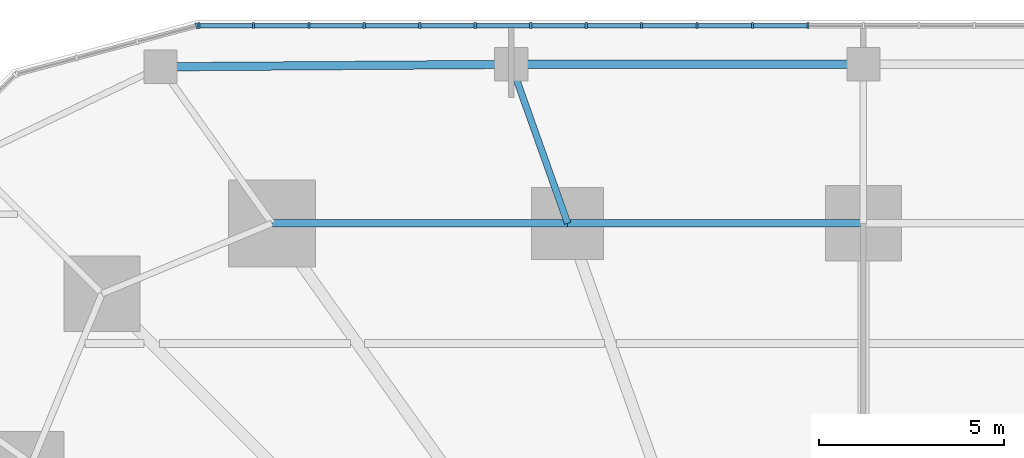
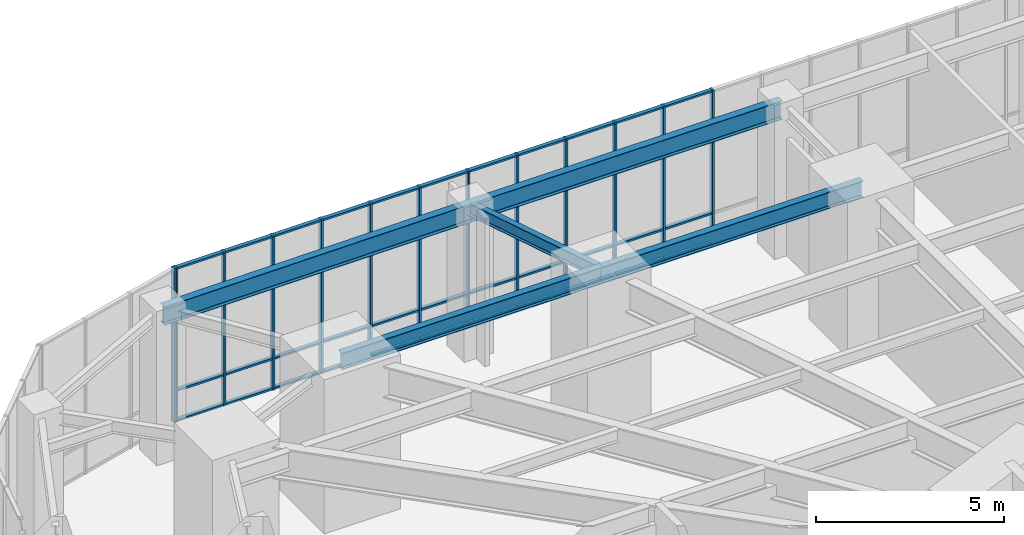
# One storey, part 11 of 24: 46 members, 5 beams, 2 elements without a shape of their own.
"""IFC4 building model written with IfcOpenShell, lengths in metres."""

from ifc_helpers import new_model, si_unit, direction, frame, origin, origin_2d, place, context, subcontext, project, spatial, rectangle, i_section, extrude, material, material_profile, profile_set, type_object, element, aggregate, save


model = new_model("IFC4")

# Units and contexts
model_context = context("Model", 3, precision=1e-05, world=origin(), true_north=direction((0.0, 1.0)))
body_context = subcontext(model_context, "Body", "Model", "MODEL_VIEW")
ifc_project = project(units=[si_unit("LENGTHUNIT", "METRE"), si_unit("AREAUNIT", "SQUARE_METRE"), si_unit("VOLUMEUNIT", "CUBIC_METRE"), si_unit("PLANEANGLEUNIT", "RADIAN"), si_unit("MASSUNIT", "GRAM", prefix="KILO")], contexts=[model_context])

# Site, building, storey
site_placement = place(None, origin())
site = spatial("IfcSite", under=ifc_project, at=site_placement, CompositionType="ELEMENT")
building_placement = place(site_placement, origin())
building = spatial("IfcBuilding", under=site, at=building_placement, Name="Nakasero Lantern House", CompositionType="ELEMENT")
storey_placement = place(building_placement, frame((0.0, 0.0, 6.0)))
storey = spatial("IfcBuildingStorey", under=building, at=storey_placement, Name="L01", CompositionType="ELEMENT", Elevation=6.0)

# Curtain wall, members
ifc_material_1 = material(Name="Aluminium 6063-T6 and glass", Category="aluminium")
curtain_wall_type = type_object("IfcCurtainWallType", Name="Podium curtain wall CW-2", PredefinedType="USERDEFINED", material=ifc_material_1)
curtain_wall_1_placement = place(storey_placement, origin())
curtain_wall_1 = element("IfcCurtainWall", 1, at=curtain_wall_1_placement, inside=storey, type_object=curtain_wall_type, Name="Curtain wall CW-2 L01", ObjectType="STICK CURTAIN WALL", PredefinedType="USERDEFINED")
ifc_material_2 = material(Name="Aluminium 6063-T6", Category="aluminium")
ifc_material_profile_1 = material_profile(ifc_material_2, rectangle(XDim=0.06005859375, YDim=0.159912109375, at=origin_2d()), Name="CW-2 mullion 60x160")
ifc_profile_set_1 = profile_set([ifc_material_profile_1], Name="Aluminium 6063-T6")
member_type_1 = type_object("IfcMemberType", Name="Mullion CW-2", PredefinedType="MULLION", material=ifc_profile_set_1)
member_1_placement = place(storey_placement, frame((-1.5, 27.85009765625, 0.0), z_axis=(0.0, 0.0, 1.0), x_axis=(-1.0, 0.0, 0.0)))
member_1 = element("IfcMember", 2, at=member_1_placement, type_object=member_type_1, Name="CW-2 mullion 14", PredefinedType="MULLION", context=body_context, shape_type="SweptSolid", body=[
    extrude(rectangle(XDim=0.06005859375, YDim=0.159912109375, at=origin_2d()), origin(), (0.0, 0.0, 1.0), 5.0),
])
member_2_placement = place(storey_placement, frame((-3.0, 27.85009765625, 0.0), z_axis=(0.0, 0.0, 1.0), x_axis=(-1.0, 0.0, 0.0)))
member_2 = element("IfcMember", 3, at=member_2_placement, type_object=member_type_1, Name="CW-2 mullion 15", PredefinedType="MULLION", context=body_context, shape_type="SweptSolid", body=[
    extrude(rectangle(XDim=0.06005859375, YDim=0.159912109375, at=origin_2d()), origin(), (0.0, 0.0, 1.0), 5.0),
])
member_3_placement = place(storey_placement, frame((-4.5, 27.85009765625, 0.0), z_axis=(0.0, 0.0, 1.0), x_axis=(-1.0, 0.0, 0.0)))
member_3 = element("IfcMember", 4, at=member_3_placement, type_object=member_type_1, Name="CW-2 mullion 16", PredefinedType="MULLION", context=body_context, shape_type="SweptSolid", body=[
    extrude(rectangle(XDim=0.06005859375, YDim=0.159912109375, at=origin_2d()), origin(), (0.0, 0.0, 1.0), 5.0),
])
member_4_placement = place(storey_placement, frame((-6.0, 27.85009765625, 0.0), z_axis=(0.0, 0.0, 1.0), x_axis=(-1.0, 0.0, 0.0)))
member_4 = element("IfcMember", 5, at=member_4_placement, type_object=member_type_1, Name="CW-2 mullion 17", PredefinedType="MULLION", context=body_context, shape_type="SweptSolid", body=[
    extrude(rectangle(XDim=0.06005859375, YDim=0.159912109375, at=origin_2d()), origin(), (0.0, 0.0, 1.0), 5.0),
])
member_5_placement = place(storey_placement, frame((-7.5, 27.85009765625, 0.0), z_axis=(0.0, 0.0, 1.0), x_axis=(-1.0, 0.0, 0.0)))
member_5 = element("IfcMember", 6, at=member_5_placement, type_object=member_type_1, Name="CW-2 mullion 18", PredefinedType="MULLION", context=body_context, shape_type="SweptSolid", body=[
    extrude(rectangle(XDim=0.06005859375, YDim=0.159912109375, at=origin_2d()), origin(), (0.0, 0.0, 1.0), 5.0),
])
member_6_placement = place(storey_placement, frame((-9.0, 27.85009765625, 0.0), z_axis=(0.0, 0.0, 1.0), x_axis=(-1.0, 0.0, 0.0)))
member_6 = element("IfcMember", 7, at=member_6_placement, type_object=member_type_1, Name="CW-2 mullion 19", PredefinedType="MULLION", context=body_context, shape_type="SweptSolid", body=[
    extrude(rectangle(XDim=0.06005859375, YDim=0.159912109375, at=origin_2d()), origin(), (0.0, 0.0, 1.0), 5.0),
])
member_7_placement = place(storey_placement, frame((-10.5, 27.85009765625, 0.0), z_axis=(0.0, 0.0, 1.0), x_axis=(-1.0, 0.0, 0.0)))
member_7 = element("IfcMember", 8, at=member_7_placement, type_object=member_type_1, Name="CW-2 mullion 20", PredefinedType="MULLION", context=body_context, shape_type="SweptSolid", body=[
    extrude(rectangle(XDim=0.06005859375, YDim=0.159912109375, at=origin_2d()), origin(), (0.0, 0.0, 1.0), 5.0),
])
member_8_placement = place(storey_placement, frame((-12.0, 27.85009765625, 0.0), z_axis=(0.0, 0.0, 1.0), x_axis=(-1.0, 0.0, 0.0)))
member_8 = element("IfcMember", 9, at=member_8_placement, type_object=member_type_1, Name="CW-2 mullion 21", PredefinedType="MULLION", context=body_context, shape_type="SweptSolid", body=[
    extrude(rectangle(XDim=0.06005859375, YDim=0.159912109375, at=origin_2d()), origin(), (0.0, 0.0, 1.0), 5.0),
])
member_9_placement = place(storey_placement, frame((-13.5, 27.85009765625, 0.0), z_axis=(0.0, 0.0, 1.0), x_axis=(-1.0, 0.0, 0.0)))
member_9 = element("IfcMember", 10, at=member_9_placement, type_object=member_type_1, Name="CW-2 mullion 22", PredefinedType="MULLION", context=body_context, shape_type="SweptSolid", body=[
    extrude(rectangle(XDim=0.06005859375, YDim=0.159912109375, at=origin_2d()), origin(), (0.0, 0.0, 1.0), 5.0),
])
member_10_placement = place(storey_placement, frame((-15.0, 27.85009765625, 0.0), z_axis=(0.0, 0.0, 1.0), x_axis=(-1.0, 0.0, 0.0)))
member_10 = element("IfcMember", 11, at=member_10_placement, type_object=member_type_1, Name="CW-2 mullion 23", PredefinedType="MULLION", context=body_context, shape_type="SweptSolid", body=[
    extrude(rectangle(XDim=0.06005859375, YDim=0.159912109375, at=origin_2d()), origin(), (0.0, 0.0, 1.0), 5.0),
])
member_11_placement = place(storey_placement, frame((-16.5, 27.85009765625, 0.0), z_axis=(0.0, 0.0, 1.0), x_axis=(-1.0, 0.0, 0.0)))
member_11 = element("IfcMember", 12, at=member_11_placement, type_object=member_type_1, Name="CW-2 mullion 24", PredefinedType="MULLION", context=body_context, shape_type="SweptSolid", body=[
    extrude(rectangle(XDim=0.06005859375, YDim=0.159912109375, at=origin_2d()), origin(), (0.0, 0.0, 1.0), 5.0),
])
member_12_placement = place(storey_placement, frame((-17.969970703125, 27.85009765625, 0.0), z_axis=(0.0, 0.0, 1.0), x_axis=(-1.0, 0.0, 0.0)))
member_12 = element("IfcMember", 13, at=member_12_placement, type_object=member_type_1, Name="CW-2 mullion 25", PredefinedType="MULLION", context=body_context, shape_type="SweptSolid", body=[
    extrude(rectangle(XDim=0.06005859375, YDim=0.159912109375, at=origin_2d()), origin(), (0.0, 0.0, 1.0), 5.0),
])

# Curtain wall, member
curtain_wall_2_placement = place(storey_placement, origin())
curtain_wall_2 = element("IfcCurtainWall", 14, at=curtain_wall_2_placement, inside=storey, type_object=curtain_wall_type, Name="Curtain wall CW-2 L01", ObjectType="STICK CURTAIN WALL", PredefinedType="USERDEFINED")
member_13_placement = place(storey_placement, frame((-18.029052734375, 27.84228515625, 0.0), z_axis=(0.0, 0.0, 1.0), x_axis=(-0.965925826289, -0.258819045103, 0.0)))
member_13 = element("IfcMember", 15, at=member_13_placement, type_object=member_type_1, Name="CW-2 mullion 1", PredefinedType="MULLION", context=body_context, shape_type="SweptSolid", body=[
    extrude(rectangle(XDim=0.06005859375, YDim=0.159912109375, at=origin_2d()), origin(), (0.0, 0.0, 1.0), 5.0),
])
aggregate(curtain_wall_2, [member_13])

# Beams
ifc_material_3 = material(Name="Steel S355", Category="steel")
ifc_material_profile_2 = material_profile(ifc_material_3, i_section(OverallWidth=0.179443359375, OverallDepth=0.412841796875, WebThickness=0.009521484375, FlangeThickness=0.01611328125, FilletRadius=0.01025390625, at=origin_2d()), Name="UB 406x178x74")
ifc_profile_set_2 = profile_set([ifc_material_profile_2], Name="Steel S355")
beam_type_1 = type_object("IfcBeamType", Name="Primary beam UB 406x178x74, span to 6 m", PredefinedType="BEAM", material=ifc_profile_set_2)
beam_1_placement = place(storey_placement, frame((-9.52880859375, 26.800048828125, 4.593505859375), z_axis=(0.334990670833, -0.942221444489, 0.0), x_axis=(0.942221444489, 0.334990670833, 0.0)))
element("IfcBeam", 16, at=beam_1_placement, inside=storey, type_object=beam_type_1, Name="Primary beam L02 POD-C10", PredefinedType="BEAM", context=body_context, shape_type="SweptSolid", body=[
    extrude(i_section(OverallWidth=0.179443359375, OverallDepth=0.412841796875, WebThickness=0.009521484375, FlangeThickness=0.01611328125, FilletRadius=0.01025390625, at=origin_2d()), origin(), (0.0, 0.0, 1.0), 4.563720703125),
])
ifc_material_4 = material(Name="Steel S355", Category="steel")
ifc_material_profile_3 = material_profile(ifc_material_4, i_section(OverallWidth=0.2099609375, OverallDepth=0.53662109375, WebThickness=0.0107421875, FlangeThickness=0.017333984375, FilletRadius=0.0126953125, at=origin_2d()), Name="UB 533x210x101")
ifc_profile_set_3 = profile_set([ifc_material_profile_3], Name="Steel S355")
beam_type_2 = type_object("IfcBeamType", Name="Ring beam UB 533x210x101", PredefinedType="BEAM", material=ifc_profile_set_3)
for number, where, z_axis, x_axis, name in (
    (17, (0.0, 22.5, 4.53173828125), (-1.0, 0.0, 0.0), (0.0, -1.0, 0.0), "Ring beam L02 B1-C09"),
    (18, (-8.0, 22.5, 4.53173828125), (-1.0, 0.0, 0.0), (0.0, -1.0, 0.0), "Ring beam L02 B1-C10"),
):
    element("IfcBeam", number, at=place(storey_placement, frame(where, z_axis=z_axis, x_axis=x_axis)), inside=storey, type_object=beam_type_2, Name=name, PredefinedType="BEAM", context=body_context, shape_type="SweptSolid", body=[
        extrude(i_section(OverallWidth=0.2099609375, OverallDepth=0.53662109375, WebThickness=0.0107421875, FlangeThickness=0.017333984375, FilletRadius=0.0126953125, at=origin_2d()), origin(), (0.0, 0.0, 1.0), 8.0),
    ])
ifc_material_5 = material(Name="Steel S355", Category="steel")
ifc_material_profile_4 = material_profile(ifc_material_5, i_section(OverallWidth=0.2275390625, OverallDepth=0.6025390625, WebThickness=0.010498046875, FlangeThickness=0.014892578125, FilletRadius=0.0126953125, at=origin_2d()), Name="UB 610x229x101")
ifc_profile_set_4 = profile_set([ifc_material_profile_4], Name="Steel S355")
beam_type_3 = type_object("IfcBeamType", Name="Ring beam UB 610x229x101", PredefinedType="BEAM", material=ifc_profile_set_4)
beam_2_placement = place(storey_placement, frame((0.0, 26.800048828125, 4.498779296875), z_axis=(-1.0, 0.0, 0.0), x_axis=(0.0, -1.0, 0.0)))
element("IfcBeam", 19, at=beam_2_placement, inside=storey, type_object=beam_type_3, Name="Ring beam L02 POD-C09", PredefinedType="BEAM", context=body_context, shape_type="SweptSolid", body=[
    extrude(i_section(OverallWidth=0.2275390625, OverallDepth=0.6025390625, WebThickness=0.010498046875, FlangeThickness=0.014892578125, FilletRadius=0.0126953125, at=origin_2d()), origin(), (0.0, 0.0, 1.0), 9.52880859375),
])
beam_3_placement = place(storey_placement, frame((-9.52880859375, 26.800048828125, 4.498779296875), z_axis=(-0.999975476745, -0.007003278482, 0.0), x_axis=(0.007003278482, -0.999975476745, 0.0)))
element("IfcBeam", 20, at=beam_3_placement, inside=storey, type_object=beam_type_3, Name="Ring beam L02 POD-C10", PredefinedType="BEAM", context=body_context, shape_type="SweptSolid", body=[
    extrude(i_section(OverallWidth=0.2275390625, OverallDepth=0.6025390625, WebThickness=0.010498046875, FlangeThickness=0.014892578125, FilletRadius=0.0126953125, at=origin_2d()), origin(), (0.0, 0.0, 1.0), 9.482177734375),
])

# Member
ifc_material_6 = material(Name="Aluminium 6063-T6", Category="aluminium")
ifc_material_profile_5 = material_profile(ifc_material_6, rectangle(XDim=0.06005859375, YDim=0.1201171875, at=origin_2d()), Name="CW-2 transom 60x120")
ifc_profile_set_5 = profile_set([ifc_material_profile_5], Name="Aluminium 6063-T6")
member_type_2 = type_object("IfcMemberType", Name="Transom CW-2", PredefinedType="USERDEFINED", material=ifc_profile_set_5)
member_14_placement = place(storey_placement, frame((-1.530029296875, 27.85009765625, 0.030029296875), z_axis=(-1.0, 0.0, 0.0), x_axis=(0.0, 0.0, 1.0)))
member_14 = element("IfcMember", 21, at=member_14_placement, type_object=member_type_2, Name="CW-2 transom 14.1", ObjectType="TRANSOM", PredefinedType="USERDEFINED", context=body_context, shape_type="SweptSolid", body=[
    extrude(rectangle(XDim=0.06005859375, YDim=0.1201171875, at=origin_2d()), origin(), (0.0, 0.0, 1.0), 1.43994140625),
])

member_15_placement = place(storey_placement, frame((-1.530029296875, 27.85009765625, 1.0), z_axis=(-1.0, 0.0, 0.0), x_axis=(0.0, 0.0, 1.0)))
member_15 = element("IfcMember", 22, at=member_15_placement, type_object=member_type_2, Name="CW-2 transom 14.2", ObjectType="TRANSOM", PredefinedType="USERDEFINED", context=body_context, shape_type="SweptSolid", body=[
    extrude(rectangle(XDim=0.06005859375, YDim=0.1201171875, at=origin_2d()), origin(), (0.0, 0.0, 1.0), 1.43994140625),
])

member_16_placement = place(storey_placement, frame((-1.530029296875, 27.85009765625, 4.969970703125), z_axis=(-1.0, 0.0, 0.0), x_axis=(0.0, 0.0, 1.0)))
member_16 = element("IfcMember", 23, at=member_16_placement, type_object=member_type_2, Name="CW-2 transom 14.3", ObjectType="TRANSOM", PredefinedType="USERDEFINED", context=body_context, shape_type="SweptSolid", body=[
    extrude(rectangle(XDim=0.06005859375, YDim=0.1201171875, at=origin_2d()), origin(), (0.0, 0.0, 1.0), 1.43994140625),
])

member_17_placement = place(storey_placement, frame((-3.030029296875, 27.85009765625, 0.030029296875), z_axis=(-1.0, 0.0, 0.0), x_axis=(0.0, 0.0, 1.0)))
member_17 = element("IfcMember", 24, at=member_17_placement, type_object=member_type_2, Name="CW-2 transom 15.1", ObjectType="TRANSOM", PredefinedType="USERDEFINED", context=body_context, shape_type="SweptSolid", body=[
    extrude(rectangle(XDim=0.06005859375, YDim=0.1201171875, at=origin_2d()), origin(), (0.0, 0.0, 1.0), 1.43994140625),
])

member_18_placement = place(storey_placement, frame((-3.030029296875, 27.85009765625, 1.0), z_axis=(-1.0, 0.0, 0.0), x_axis=(0.0, 0.0, 1.0)))
member_18 = element("IfcMember", 25, at=member_18_placement, type_object=member_type_2, Name="CW-2 transom 15.2", ObjectType="TRANSOM", PredefinedType="USERDEFINED", context=body_context, shape_type="SweptSolid", body=[
    extrude(rectangle(XDim=0.06005859375, YDim=0.1201171875, at=origin_2d()), origin(), (0.0, 0.0, 1.0), 1.43994140625),
])

member_19_placement = place(storey_placement, frame((-3.030029296875, 27.85009765625, 4.969970703125), z_axis=(-1.0, 0.0, 0.0), x_axis=(0.0, 0.0, 1.0)))
member_19 = element("IfcMember", 26, at=member_19_placement, type_object=member_type_2, Name="CW-2 transom 15.3", ObjectType="TRANSOM", PredefinedType="USERDEFINED", context=body_context, shape_type="SweptSolid", body=[
    extrude(rectangle(XDim=0.06005859375, YDim=0.1201171875, at=origin_2d()), origin(), (0.0, 0.0, 1.0), 1.43994140625),
])

member_20_placement = place(storey_placement, frame((-4.530029296875, 27.85009765625, 0.030029296875), z_axis=(-1.0, 0.0, 0.0), x_axis=(0.0, 0.0, 1.0)))
member_20 = element("IfcMember", 27, at=member_20_placement, type_object=member_type_2, Name="CW-2 transom 16.1", ObjectType="TRANSOM", PredefinedType="USERDEFINED", context=body_context, shape_type="SweptSolid", body=[
    extrude(rectangle(XDim=0.06005859375, YDim=0.1201171875, at=origin_2d()), origin(), (0.0, 0.0, 1.0), 1.43994140625),
])

member_21_placement = place(storey_placement, frame((-4.530029296875, 27.85009765625, 1.0), z_axis=(-1.0, 0.0, 0.0), x_axis=(0.0, 0.0, 1.0)))
member_21 = element("IfcMember", 28, at=member_21_placement, type_object=member_type_2, Name="CW-2 transom 16.2", ObjectType="TRANSOM", PredefinedType="USERDEFINED", context=body_context, shape_type="SweptSolid", body=[
    extrude(rectangle(XDim=0.06005859375, YDim=0.1201171875, at=origin_2d()), origin(), (0.0, 0.0, 1.0), 1.43994140625),
])

member_22_placement = place(storey_placement, frame((-4.530029296875, 27.85009765625, 4.969970703125), z_axis=(-1.0, 0.0, 0.0), x_axis=(0.0, 0.0, 1.0)))
member_22 = element("IfcMember", 29, at=member_22_placement, type_object=member_type_2, Name="CW-2 transom 16.3", ObjectType="TRANSOM", PredefinedType="USERDEFINED", context=body_context, shape_type="SweptSolid", body=[
    extrude(rectangle(XDim=0.06005859375, YDim=0.1201171875, at=origin_2d()), origin(), (0.0, 0.0, 1.0), 1.43994140625),
])

member_23_placement = place(storey_placement, frame((-6.030029296875, 27.85009765625, 0.030029296875), z_axis=(-1.0, 0.0, 0.0), x_axis=(0.0, 0.0, 1.0)))
member_23 = element("IfcMember", 30, at=member_23_placement, type_object=member_type_2, Name="CW-2 transom 17.1", ObjectType="TRANSOM", PredefinedType="USERDEFINED", context=body_context, shape_type="SweptSolid", body=[
    extrude(rectangle(XDim=0.06005859375, YDim=0.1201171875, at=origin_2d()), origin(), (0.0, 0.0, 1.0), 1.43994140625),
])

member_24_placement = place(storey_placement, frame((-6.030029296875, 27.85009765625, 1.0), z_axis=(-1.0, 0.0, 0.0), x_axis=(0.0, 0.0, 1.0)))
member_24 = element("IfcMember", 31, at=member_24_placement, type_object=member_type_2, Name="CW-2 transom 17.2", ObjectType="TRANSOM", PredefinedType="USERDEFINED", context=body_context, shape_type="SweptSolid", body=[
    extrude(rectangle(XDim=0.06005859375, YDim=0.1201171875, at=origin_2d()), origin(), (0.0, 0.0, 1.0), 1.43994140625),
])

member_25_placement = place(storey_placement, frame((-6.030029296875, 27.85009765625, 4.969970703125), z_axis=(-1.0, 0.0, 0.0), x_axis=(0.0, 0.0, 1.0)))
member_25 = element("IfcMember", 32, at=member_25_placement, type_object=member_type_2, Name="CW-2 transom 17.3", ObjectType="TRANSOM", PredefinedType="USERDEFINED", context=body_context, shape_type="SweptSolid", body=[
    extrude(rectangle(XDim=0.06005859375, YDim=0.1201171875, at=origin_2d()), origin(), (0.0, 0.0, 1.0), 1.43994140625),
])

member_26_placement = place(storey_placement, frame((-7.530029296875, 27.85009765625, 0.030029296875), z_axis=(-1.0, 0.0, 0.0), x_axis=(0.0, 0.0, 1.0)))
member_26 = element("IfcMember", 33, at=member_26_placement, type_object=member_type_2, Name="CW-2 transom 18.1", ObjectType="TRANSOM", PredefinedType="USERDEFINED", context=body_context, shape_type="SweptSolid", body=[
    extrude(rectangle(XDim=0.06005859375, YDim=0.1201171875, at=origin_2d()), origin(), (0.0, 0.0, 1.0), 1.43994140625),
])

member_27_placement = place(storey_placement, frame((-7.530029296875, 27.85009765625, 1.0), z_axis=(-1.0, 0.0, 0.0), x_axis=(0.0, 0.0, 1.0)))
member_27 = element("IfcMember", 34, at=member_27_placement, type_object=member_type_2, Name="CW-2 transom 18.2", ObjectType="TRANSOM", PredefinedType="USERDEFINED", context=body_context, shape_type="SweptSolid", body=[
    extrude(rectangle(XDim=0.06005859375, YDim=0.1201171875, at=origin_2d()), origin(), (0.0, 0.0, 1.0), 1.43994140625),
])

member_28_placement = place(storey_placement, frame((-7.530029296875, 27.85009765625, 4.969970703125), z_axis=(-1.0, 0.0, 0.0), x_axis=(0.0, 0.0, 1.0)))
member_28 = element("IfcMember", 35, at=member_28_placement, type_object=member_type_2, Name="CW-2 transom 18.3", ObjectType="TRANSOM", PredefinedType="USERDEFINED", context=body_context, shape_type="SweptSolid", body=[
    extrude(rectangle(XDim=0.06005859375, YDim=0.1201171875, at=origin_2d()), origin(), (0.0, 0.0, 1.0), 1.43994140625),
])

member_29_placement = place(storey_placement, frame((-9.030029296875, 27.85009765625, 0.030029296875), z_axis=(-1.0, 0.0, 0.0), x_axis=(0.0, 0.0, 1.0)))
member_29 = element("IfcMember", 36, at=member_29_placement, type_object=member_type_2, Name="CW-2 transom 19.1", ObjectType="TRANSOM", PredefinedType="USERDEFINED", context=body_context, shape_type="SweptSolid", body=[
    extrude(rectangle(XDim=0.06005859375, YDim=0.1201171875, at=origin_2d()), origin(), (0.0, 0.0, 1.0), 1.43994140625),
])

member_30_placement = place(storey_placement, frame((-9.030029296875, 27.85009765625, 1.0), z_axis=(-1.0, 0.0, 0.0), x_axis=(0.0, 0.0, 1.0)))
member_30 = element("IfcMember", 37, at=member_30_placement, type_object=member_type_2, Name="CW-2 transom 19.2", ObjectType="TRANSOM", PredefinedType="USERDEFINED", context=body_context, shape_type="SweptSolid", body=[
    extrude(rectangle(XDim=0.06005859375, YDim=0.1201171875, at=origin_2d()), origin(), (0.0, 0.0, 1.0), 1.43994140625),
])

member_31_placement = place(storey_placement, frame((-9.030029296875, 27.85009765625, 4.969970703125), z_axis=(-1.0, 0.0, 0.0), x_axis=(0.0, 0.0, 1.0)))
member_31 = element("IfcMember", 38, at=member_31_placement, type_object=member_type_2, Name="CW-2 transom 19.3", ObjectType="TRANSOM", PredefinedType="USERDEFINED", context=body_context, shape_type="SweptSolid", body=[
    extrude(rectangle(XDim=0.06005859375, YDim=0.1201171875, at=origin_2d()), origin(), (0.0, 0.0, 1.0), 1.43994140625),
])

member_32_placement = place(storey_placement, frame((-10.530029296875, 27.85009765625, 0.030029296875), z_axis=(-1.0, 0.0, 0.0), x_axis=(0.0, 0.0, 1.0)))
member_32 = element("IfcMember", 39, at=member_32_placement, type_object=member_type_2, Name="CW-2 transom 20.1", ObjectType="TRANSOM", PredefinedType="USERDEFINED", context=body_context, shape_type="SweptSolid", body=[
    extrude(rectangle(XDim=0.06005859375, YDim=0.1201171875, at=origin_2d()), origin(), (0.0, 0.0, 1.0), 1.43994140625),
])

member_33_placement = place(storey_placement, frame((-10.530029296875, 27.85009765625, 1.0), z_axis=(-1.0, 0.0, 0.0), x_axis=(0.0, 0.0, 1.0)))
member_33 = element("IfcMember", 40, at=member_33_placement, type_object=member_type_2, Name="CW-2 transom 20.2", ObjectType="TRANSOM", PredefinedType="USERDEFINED", context=body_context, shape_type="SweptSolid", body=[
    extrude(rectangle(XDim=0.06005859375, YDim=0.1201171875, at=origin_2d()), origin(), (0.0, 0.0, 1.0), 1.43994140625),
])

member_34_placement = place(storey_placement, frame((-10.530029296875, 27.85009765625, 4.969970703125), z_axis=(-1.0, 0.0, 0.0), x_axis=(0.0, 0.0, 1.0)))
member_34 = element("IfcMember", 41, at=member_34_placement, type_object=member_type_2, Name="CW-2 transom 20.3", ObjectType="TRANSOM", PredefinedType="USERDEFINED", context=body_context, shape_type="SweptSolid", body=[
    extrude(rectangle(XDim=0.06005859375, YDim=0.1201171875, at=origin_2d()), origin(), (0.0, 0.0, 1.0), 1.43994140625),
])

member_35_placement = place(storey_placement, frame((-12.030029296875, 27.85009765625, 0.030029296875), z_axis=(-1.0, 0.0, 0.0), x_axis=(0.0, 0.0, 1.0)))
member_35 = element("IfcMember", 42, at=member_35_placement, type_object=member_type_2, Name="CW-2 transom 21.1", ObjectType="TRANSOM", PredefinedType="USERDEFINED", context=body_context, shape_type="SweptSolid", body=[
    extrude(rectangle(XDim=0.06005859375, YDim=0.1201171875, at=origin_2d()), origin(), (0.0, 0.0, 1.0), 1.43994140625),
])

member_36_placement = place(storey_placement, frame((-12.030029296875, 27.85009765625, 1.0), z_axis=(-1.0, 0.0, 0.0), x_axis=(0.0, 0.0, 1.0)))
member_36 = element("IfcMember", 43, at=member_36_placement, type_object=member_type_2, Name="CW-2 transom 21.2", ObjectType="TRANSOM", PredefinedType="USERDEFINED", context=body_context, shape_type="SweptSolid", body=[
    extrude(rectangle(XDim=0.06005859375, YDim=0.1201171875, at=origin_2d()), origin(), (0.0, 0.0, 1.0), 1.43994140625),
])

member_37_placement = place(storey_placement, frame((-12.030029296875, 27.85009765625, 4.969970703125), z_axis=(-1.0, 0.0, 0.0), x_axis=(0.0, 0.0, 1.0)))
member_37 = element("IfcMember", 44, at=member_37_placement, type_object=member_type_2, Name="CW-2 transom 21.3", ObjectType="TRANSOM", PredefinedType="USERDEFINED", context=body_context, shape_type="SweptSolid", body=[
    extrude(rectangle(XDim=0.06005859375, YDim=0.1201171875, at=origin_2d()), origin(), (0.0, 0.0, 1.0), 1.43994140625),
])

member_38_placement = place(storey_placement, frame((-13.530029296875, 27.85009765625, 0.030029296875), z_axis=(-1.0, 0.0, 0.0), x_axis=(0.0, 0.0, 1.0)))
member_38 = element("IfcMember", 45, at=member_38_placement, type_object=member_type_2, Name="CW-2 transom 22.1", ObjectType="TRANSOM", PredefinedType="USERDEFINED", context=body_context, shape_type="SweptSolid", body=[
    extrude(rectangle(XDim=0.06005859375, YDim=0.1201171875, at=origin_2d()), origin(), (0.0, 0.0, 1.0), 1.43994140625),
])

member_39_placement = place(storey_placement, frame((-13.530029296875, 27.85009765625, 1.0), z_axis=(-1.0, 0.0, 0.0), x_axis=(0.0, 0.0, 1.0)))
member_39 = element("IfcMember", 46, at=member_39_placement, type_object=member_type_2, Name="CW-2 transom 22.2", ObjectType="TRANSOM", PredefinedType="USERDEFINED", context=body_context, shape_type="SweptSolid", body=[
    extrude(rectangle(XDim=0.06005859375, YDim=0.1201171875, at=origin_2d()), origin(), (0.0, 0.0, 1.0), 1.43994140625),
])

member_40_placement = place(storey_placement, frame((-13.530029296875, 27.85009765625, 4.969970703125), z_axis=(-1.0, 0.0, 0.0), x_axis=(0.0, 0.0, 1.0)))
member_40 = element("IfcMember", 47, at=member_40_placement, type_object=member_type_2, Name="CW-2 transom 22.3", ObjectType="TRANSOM", PredefinedType="USERDEFINED", context=body_context, shape_type="SweptSolid", body=[
    extrude(rectangle(XDim=0.06005859375, YDim=0.1201171875, at=origin_2d()), origin(), (0.0, 0.0, 1.0), 1.43994140625),
])

member_41_placement = place(storey_placement, frame((-15.030029296875, 27.85009765625, 0.030029296875), z_axis=(-1.0, 0.0, 0.0), x_axis=(0.0, 0.0, 1.0)))
member_41 = element("IfcMember", 48, at=member_41_placement, type_object=member_type_2, Name="CW-2 transom 23.1", ObjectType="TRANSOM", PredefinedType="USERDEFINED", context=body_context, shape_type="SweptSolid", body=[
    extrude(rectangle(XDim=0.06005859375, YDim=0.1201171875, at=origin_2d()), origin(), (0.0, 0.0, 1.0), 1.43994140625),
])

member_42_placement = place(storey_placement, frame((-15.030029296875, 27.85009765625, 1.0), z_axis=(-1.0, 0.0, 0.0), x_axis=(0.0, 0.0, 1.0)))
member_42 = element("IfcMember", 49, at=member_42_placement, type_object=member_type_2, Name="CW-2 transom 23.2", ObjectType="TRANSOM", PredefinedType="USERDEFINED", context=body_context, shape_type="SweptSolid", body=[
    extrude(rectangle(XDim=0.06005859375, YDim=0.1201171875, at=origin_2d()), origin(), (0.0, 0.0, 1.0), 1.43994140625),
])

member_43_placement = place(storey_placement, frame((-15.030029296875, 27.85009765625, 4.969970703125), z_axis=(-1.0, 0.0, 0.0), x_axis=(0.0, 0.0, 1.0)))
member_43 = element("IfcMember", 50, at=member_43_placement, type_object=member_type_2, Name="CW-2 transom 23.3", ObjectType="TRANSOM", PredefinedType="USERDEFINED", context=body_context, shape_type="SweptSolid", body=[
    extrude(rectangle(XDim=0.06005859375, YDim=0.1201171875, at=origin_2d()), origin(), (0.0, 0.0, 1.0), 1.43994140625),
])

member_44_placement = place(storey_placement, frame((-16.530029296875, 27.85009765625, 0.030029296875), z_axis=(-1.0, 0.0, 0.0), x_axis=(0.0, 0.0, 1.0)))
member_44 = element("IfcMember", 51, at=member_44_placement, type_object=member_type_2, Name="CW-2 transom 24.1", ObjectType="TRANSOM", PredefinedType="USERDEFINED", context=body_context, shape_type="SweptSolid", body=[
    extrude(rectangle(XDim=0.06005859375, YDim=0.1201171875, at=origin_2d()), origin(), (0.0, 0.0, 1.0), 1.409912109375),
])

member_45_placement = place(storey_placement, frame((-16.530029296875, 27.85009765625, 1.0), z_axis=(-1.0, 0.0, 0.0), x_axis=(0.0, 0.0, 1.0)))
member_45 = element("IfcMember", 52, at=member_45_placement, type_object=member_type_2, Name="CW-2 transom 24.2", ObjectType="TRANSOM", PredefinedType="USERDEFINED", context=body_context, shape_type="SweptSolid", body=[
    extrude(rectangle(XDim=0.06005859375, YDim=0.1201171875, at=origin_2d()), origin(), (0.0, 0.0, 1.0), 1.409912109375),
])

member_46_placement = place(storey_placement, frame((-16.530029296875, 27.85009765625, 4.969970703125), z_axis=(-1.0, 0.0, 0.0), x_axis=(0.0, 0.0, 1.0)))
member_46 = element("IfcMember", 53, at=member_46_placement, type_object=member_type_2, Name="CW-2 transom 24.3", ObjectType="TRANSOM", PredefinedType="USERDEFINED", context=body_context, shape_type="SweptSolid", body=[
    extrude(rectangle(XDim=0.06005859375, YDim=0.1201171875, at=origin_2d()), origin(), (0.0, 0.0, 1.0), 1.409912109375),
])

aggregate(curtain_wall_1, [member_1, member_2, member_3, member_4, member_5, member_6, member_7, member_8, member_9, member_10, member_11, member_12, member_14, member_15, member_16, member_17, member_18, member_19, member_20, member_21, member_22, member_23, member_24, member_25, member_26, member_27, member_28, member_29, member_30, member_31, member_32, member_33, member_34, member_35, member_36, member_37, member_38, member_39, member_40, member_41, member_42, member_43, member_44, member_45, member_46])

save(model, "model.ifc")
